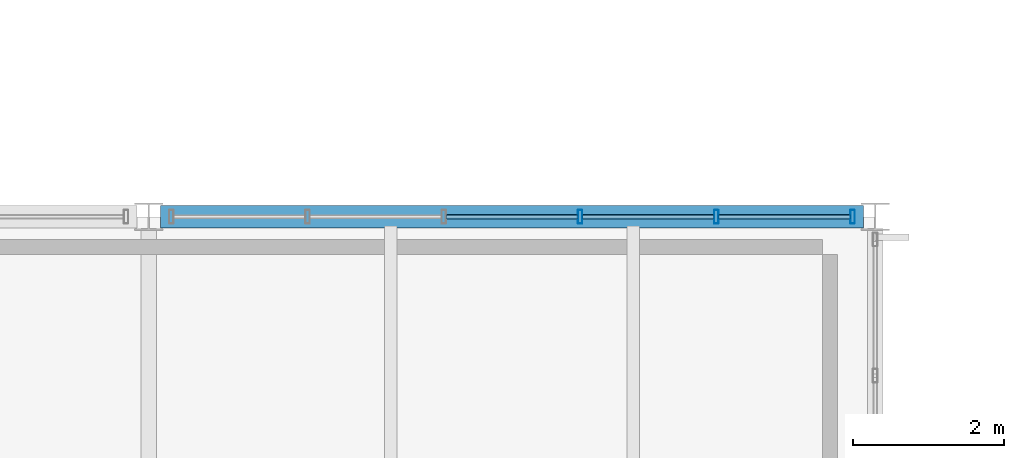
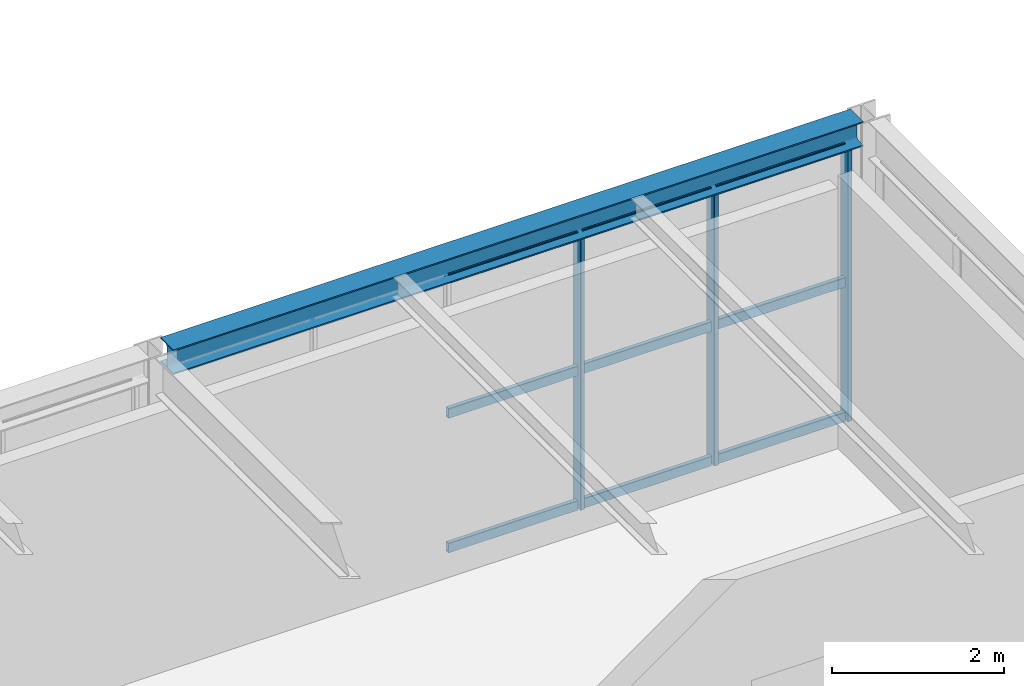
# One storey, part 66 of 170: 12 members, 1 beam, 1 element without a shape of its own.
"""IFC4 building model written with IfcOpenShell, lengths in metres."""

from ifc_helpers import new_model, si_unit, direction, frame, origin, origin_2d, place, context, subcontext, project, spatial, hollow_rectangle, i_section, extrude, material, material_profile, profile_set, type_object, element, aggregate, save


model = new_model("IFC4")

# Units and contexts
model_context = context("Model", 3, precision=1e-05, world=origin(), true_north=direction((0.0, 1.0)))
body_context = subcontext(model_context, "Body", "Model", "MODEL_VIEW")
ifc_project = project(units=[si_unit("LENGTHUNIT", "METRE"), si_unit("AREAUNIT", "SQUARE_METRE"), si_unit("VOLUMEUNIT", "CUBIC_METRE"), si_unit("PLANEANGLEUNIT", "RADIAN"), si_unit("MASSUNIT", "GRAM", prefix="KILO")], contexts=[model_context])

# Site, building, storey
site_placement = place(None, origin())
site = spatial("IfcSite", under=ifc_project, at=site_placement, CompositionType="ELEMENT")
building_placement = place(site_placement, origin())
building = spatial("IfcBuilding", under=site, at=building_placement, Name="Coralgate Yard Interchange", CompositionType="ELEMENT")
storey_placement = place(building_placement, frame((0.0, 0.0, 6.0)))
storey = spatial("IfcBuildingStorey", under=building, at=storey_placement, Name="L01", CompositionType="ELEMENT", Elevation=6.0)

# Beam
ifc_material_1 = material(Name="Structural steel S355J2", Category="steel")
ifc_material_profile_1 = material_profile(ifc_material_1, i_section(OverallWidth=0.300048828125, OverallDepth=0.35009765625, WebThickness=0.010009765625, FlangeThickness=0.017578125, FilletRadius=0.027099609375, at=origin_2d()), Name="HEA 360")
ifc_profile_set_1 = profile_set([ifc_material_profile_1], Name="Structural steel S355J2")
beam_type = type_object("IfcBeamType", Name="BM-SP-1", PredefinedType="SPANDREL", material=ifc_profile_set_1)
beam_placement = place(storey_placement, frame((86.556396484375, 19.199951171875, 4.074951171875), z_axis=(1.0, 0.0, 0.0), x_axis=(0.0, 1.0, 0.0)))
element("IfcBeam", 1, at=beam_placement, inside=storey, type_object=beam_type, Name="L01 primary grid beam Y2 X9-10", PredefinedType="SPANDREL", context=body_context, shape_type="SweptSolid", body=[
    extrude(i_section(OverallWidth=0.300048828125, OverallDepth=0.35009765625, WebThickness=0.010009765625, FlangeThickness=0.017578125, FilletRadius=0.027099609375, at=origin_2d()), origin(), (0.0, 0.0, 1.0), 9.287353515625),
])

# Curtain wall, members
ifc_material_2 = material(Name="Anodised coastal aluminium and solar-control low-E glass", Category="aluminium")
curtain_wall_type = type_object("IfcCurtainWallType", Name="CW-CW-L01-A", PredefinedType="NOTDEFINED", material=ifc_material_2)
curtain_wall_placement = place(storey_placement, origin())
curtain_wall = element("IfcCurtainWall", 2, at=curtain_wall_placement, inside=storey, type_object=curtain_wall_type, Name="L01 unitised curtain wall CW-L01-N-09-01", PredefinedType="NOTDEFINED")
ifc_material_3 = material(Name="Anodised coastal aluminium 6063-T6", Category="aluminium")
ifc_material_profile_2 = material_profile(ifc_material_3, hollow_rectangle(XDim=0.06005859375, YDim=0.179931640625, WallThickness=0.00390625, InnerFilletRadius=0.00390625, OuterFilletRadius=0.008056640625, at=origin_2d()), Name="ALU 60x180x4")
ifc_profile_set_2 = profile_set([ifc_material_profile_2], Name="Anodised coastal aluminium 6063-T6")
member_type_1 = type_object("IfcMemberType", Name="MB-MUL-180", PredefinedType="MULLION", material=ifc_profile_set_2)
member_1_placement = place(storey_placement, frame((92.10009765625, 19.199951171875, 0.0), z_axis=(0.0, 0.0, 1.0), x_axis=(1.0, 0.0, 0.0)))
member_1 = element("IfcMember", 3, at=member_1_placement, type_object=member_type_1, Name="CW-L01-N-09-01 vertical mullion 4", PredefinedType="MULLION", context=body_context, shape_type="SweptSolid", body=[
    extrude(hollow_rectangle(XDim=0.06005859375, YDim=0.179931640625, WallThickness=0.00390625, InnerFilletRadius=0.00390625, OuterFilletRadius=0.008056640625, at=origin_2d()), origin(), (0.0, 0.0, 1.0), 3.89990234375),
])
member_2_placement = place(storey_placement, frame((93.89990234375, 19.199951171875, 0.0), z_axis=(0.0, 0.0, 1.0), x_axis=(1.0, 0.0, 0.0)))
member_2 = element("IfcMember", 4, at=member_2_placement, type_object=member_type_1, Name="CW-L01-N-09-01 vertical mullion 5", PredefinedType="MULLION", context=body_context, shape_type="SweptSolid", body=[
    extrude(hollow_rectangle(XDim=0.06005859375, YDim=0.179931640625, WallThickness=0.00390625, InnerFilletRadius=0.00390625, OuterFilletRadius=0.008056640625, at=origin_2d()), origin(), (0.0, 0.0, 1.0), 3.89990234375),
])
member_3_placement = place(storey_placement, frame((95.699951171875, 19.199951171875, 0.0), z_axis=(0.0, 0.0, 1.0), x_axis=(1.0, 0.0, 0.0)))
member_3 = element("IfcMember", 5, at=member_3_placement, type_object=member_type_1, Name="CW-L01-N-09-01 vertical mullion 6", PredefinedType="MULLION", context=body_context, shape_type="SweptSolid", body=[
    extrude(hollow_rectangle(XDim=0.06005859375, YDim=0.179931640625, WallThickness=0.00390625, InnerFilletRadius=0.00390625, OuterFilletRadius=0.008056640625, at=origin_2d()), origin(), (0.0, 0.0, 1.0), 3.89990234375),
])
ifc_material_profile_3 = material_profile(ifc_material_3, hollow_rectangle(XDim=0.06005859375, YDim=0.139892578125, WallThickness=0.00341796875, InnerFilletRadius=0.00341796875, OuterFilletRadius=0.007080078125, at=origin_2d()), Name="ALU 60x140x3.5")
ifc_profile_set_3 = profile_set([ifc_material_profile_3], Name="Anodised coastal aluminium 6063-T6")
member_type_2 = type_object("IfcMemberType", Name="MB-TRN-140", PredefinedType="USERDEFINED", material=ifc_profile_set_3)
member_4_placement = place(storey_placement, frame((90.330078125, 19.199951171875, 0.034912109375), z_axis=(1.0, 0.0, 0.0), x_axis=(0.0, 1.0, 0.0)))
member_4 = element("IfcMember", 6, at=member_4_placement, type_object=member_type_2, Name="CW-L01-N-09-01 horizontal transom 3-1", ObjectType="TRANSOM", PredefinedType="USERDEFINED", context=body_context, shape_type="SweptSolid", body=[
    extrude(hollow_rectangle(XDim=0.06005859375, YDim=0.139892578125, WallThickness=0.00341796875, InnerFilletRadius=0.00341796875, OuterFilletRadius=0.007080078125, at=origin_2d()), origin(), (0.0, 0.0, 1.0), 1.739990234375),
])
member_5_placement = place(storey_placement, frame((90.330078125, 19.199951171875, 1.949951171875), z_axis=(1.0, 0.0, 0.0), x_axis=(0.0, 1.0, 0.0)))
member_5 = element("IfcMember", 7, at=member_5_placement, type_object=member_type_2, Name="CW-L01-N-09-01 horizontal transom 3-2", ObjectType="TRANSOM", PredefinedType="USERDEFINED", context=body_context, shape_type="SweptSolid", body=[
    extrude(hollow_rectangle(XDim=0.06005859375, YDim=0.139892578125, WallThickness=0.00341796875, InnerFilletRadius=0.00341796875, OuterFilletRadius=0.007080078125, at=origin_2d()), origin(), (0.0, 0.0, 1.0), 1.739990234375),
])
member_6_placement = place(storey_placement, frame((90.330078125, 19.199951171875, 3.864990234375), z_axis=(1.0, 0.0, 0.0), x_axis=(0.0, 1.0, 0.0)))
member_6 = element("IfcMember", 8, at=member_6_placement, type_object=member_type_2, Name="CW-L01-N-09-01 horizontal transom 3-3", ObjectType="TRANSOM", PredefinedType="USERDEFINED", context=body_context, shape_type="SweptSolid", body=[
    extrude(hollow_rectangle(XDim=0.06005859375, YDim=0.139892578125, WallThickness=0.00341796875, InnerFilletRadius=0.00341796875, OuterFilletRadius=0.007080078125, at=origin_2d()), origin(), (0.0, 0.0, 1.0), 1.739990234375),
])
member_7_placement = place(storey_placement, frame((92.1298828125, 19.199951171875, 0.034912109375), z_axis=(1.0, 0.0, 0.0), x_axis=(0.0, 1.0, 0.0)))
member_7 = element("IfcMember", 9, at=member_7_placement, type_object=member_type_2, Name="CW-L01-N-09-01 horizontal transom 4-1", ObjectType="TRANSOM", PredefinedType="USERDEFINED", context=body_context, shape_type="SweptSolid", body=[
    extrude(hollow_rectangle(XDim=0.06005859375, YDim=0.139892578125, WallThickness=0.00341796875, InnerFilletRadius=0.00341796875, OuterFilletRadius=0.007080078125, at=origin_2d()), origin(), (0.0, 0.0, 1.0), 1.740234375),
])
member_8_placement = place(storey_placement, frame((92.1298828125, 19.199951171875, 1.949951171875), z_axis=(1.0, 0.0, 0.0), x_axis=(0.0, 1.0, 0.0)))
member_8 = element("IfcMember", 10, at=member_8_placement, type_object=member_type_2, Name="CW-L01-N-09-01 horizontal transom 4-2", ObjectType="TRANSOM", PredefinedType="USERDEFINED", context=body_context, shape_type="SweptSolid", body=[
    extrude(hollow_rectangle(XDim=0.06005859375, YDim=0.139892578125, WallThickness=0.00341796875, InnerFilletRadius=0.00341796875, OuterFilletRadius=0.007080078125, at=origin_2d()), origin(), (0.0, 0.0, 1.0), 1.740234375),
])
member_9_placement = place(storey_placement, frame((92.1298828125, 19.199951171875, 3.864990234375), z_axis=(1.0, 0.0, 0.0), x_axis=(0.0, 1.0, 0.0)))
member_9 = element("IfcMember", 11, at=member_9_placement, type_object=member_type_2, Name="CW-L01-N-09-01 horizontal transom 4-3", ObjectType="TRANSOM", PredefinedType="USERDEFINED", context=body_context, shape_type="SweptSolid", body=[
    extrude(hollow_rectangle(XDim=0.06005859375, YDim=0.139892578125, WallThickness=0.00341796875, InnerFilletRadius=0.00341796875, OuterFilletRadius=0.007080078125, at=origin_2d()), origin(), (0.0, 0.0, 1.0), 1.740234375),
])
member_10_placement = place(storey_placement, frame((93.929931640625, 19.199951171875, 0.034912109375), z_axis=(1.0, 0.0, 0.0), x_axis=(0.0, 1.0, 0.0)))
member_10 = element("IfcMember", 12, at=member_10_placement, type_object=member_type_2, Name="CW-L01-N-09-01 horizontal transom 5-1", ObjectType="TRANSOM", PredefinedType="USERDEFINED", context=body_context, shape_type="SweptSolid", body=[
    extrude(hollow_rectangle(XDim=0.06005859375, YDim=0.139892578125, WallThickness=0.00341796875, InnerFilletRadius=0.00341796875, OuterFilletRadius=0.007080078125, at=origin_2d()), origin(), (0.0, 0.0, 1.0), 1.739990234375),
])
member_11_placement = place(storey_placement, frame((93.929931640625, 19.199951171875, 1.949951171875), z_axis=(1.0, 0.0, 0.0), x_axis=(0.0, 1.0, 0.0)))
member_11 = element("IfcMember", 13, at=member_11_placement, type_object=member_type_2, Name="CW-L01-N-09-01 horizontal transom 5-2", ObjectType="TRANSOM", PredefinedType="USERDEFINED", context=body_context, shape_type="SweptSolid", body=[
    extrude(hollow_rectangle(XDim=0.06005859375, YDim=0.139892578125, WallThickness=0.00341796875, InnerFilletRadius=0.00341796875, OuterFilletRadius=0.007080078125, at=origin_2d()), origin(), (0.0, 0.0, 1.0), 1.739990234375),
])
member_12_placement = place(storey_placement, frame((93.929931640625, 19.199951171875, 3.864990234375), z_axis=(1.0, 0.0, 0.0), x_axis=(0.0, 1.0, 0.0)))
member_12 = element("IfcMember", 14, at=member_12_placement, type_object=member_type_2, Name="CW-L01-N-09-01 horizontal transom 5-3", ObjectType="TRANSOM", PredefinedType="USERDEFINED", context=body_context, shape_type="SweptSolid", body=[
    extrude(hollow_rectangle(XDim=0.06005859375, YDim=0.139892578125, WallThickness=0.00341796875, InnerFilletRadius=0.00341796875, OuterFilletRadius=0.007080078125, at=origin_2d()), origin(), (0.0, 0.0, 1.0), 1.739990234375),
])
aggregate(curtain_wall, [member_1, member_2, member_3, member_4, member_5, member_6, member_7, member_8, member_9, member_10, member_11, member_12])

save(model, "model.ifc")
